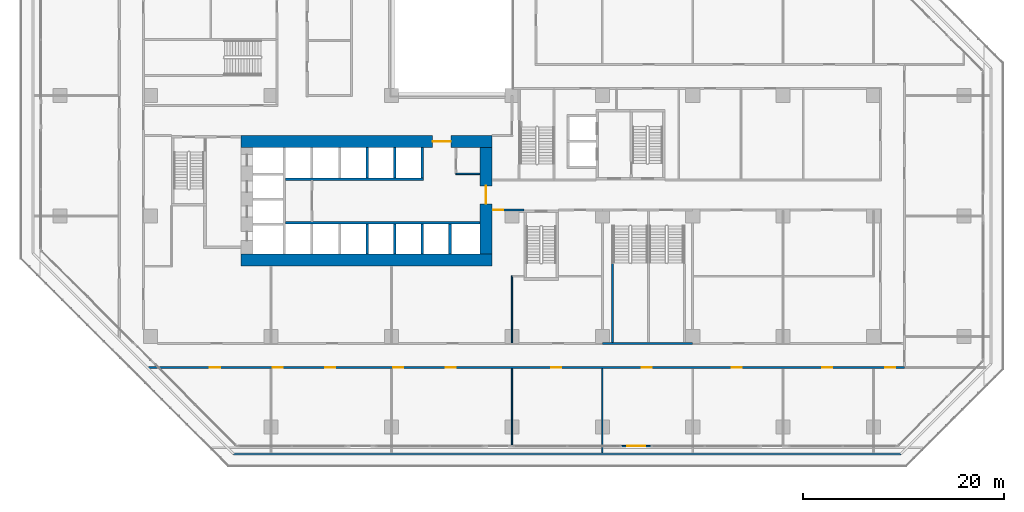
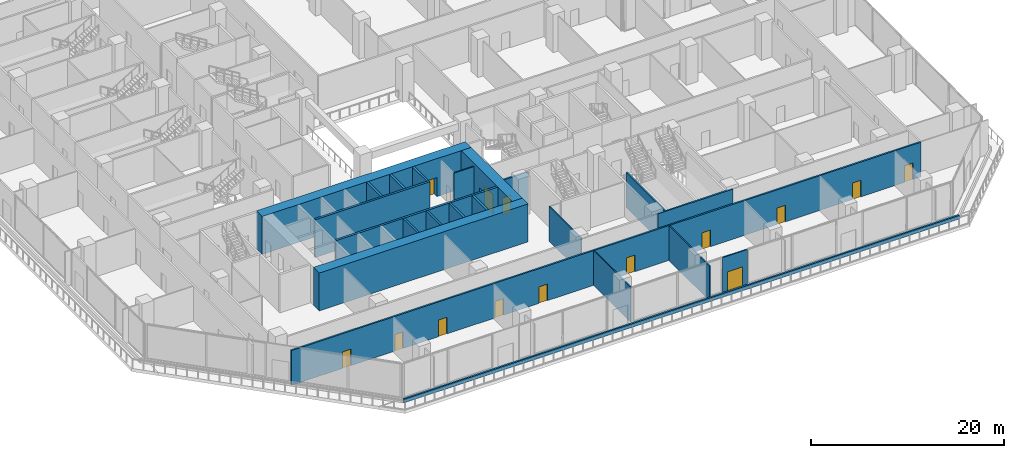
# One storey, part 15 of 31: 22 walls, 14 doors, 14 openings.
"""IFC4 building model written with IfcOpenShell, lengths in metres."""

from ifc_helpers import new_model, si_unit, direction, frame, frame_2d, origin, place, context, subcontext, project, spatial, rectangle, extrude, material, layer, layer_set, type_object, element, fill, save


model = new_model("IFC4")

# Units and contexts
model_context = context("Model", 3, precision=1e-05, world=origin(), true_north=direction((0.0, 1.0)))
body_context = subcontext(model_context, "Body", "Model", "MODEL_VIEW")
ifc_project = project(units=[si_unit("LENGTHUNIT", "METRE"), si_unit("AREAUNIT", "SQUARE_METRE"), si_unit("VOLUMEUNIT", "CUBIC_METRE"), si_unit("PLANEANGLEUNIT", "RADIAN"), si_unit("MASSUNIT", "GRAM", prefix="KILO")], contexts=[model_context])

# Site, building, storey
site_placement = place(None, origin())
site = spatial("IfcSite", under=ifc_project, at=site_placement, CompositionType="ELEMENT")
building_placement = place(site_placement, origin())
building = spatial("IfcBuilding", under=site, at=building_placement, Name="Chenar Terraces", CompositionType="ELEMENT")
storey_placement = place(building_placement, frame((0.0, 0.0, 12.0)))
storey = spatial("IfcBuildingStorey", under=building, at=storey_placement, Name="L02", CompositionType="ELEMENT", Elevation=12.0)

# Walls
ifc_material_1 = material(Name="Gypsum board on steel studs with mineral wool", Category="steel")
ifc_layer_1 = layer(ifc_material_1, 0.125)
ifc_layer_set_1 = layer_set([ifc_layer_1], Name="Gypsum board on steel studs with mineral wool")
wall_type_1 = type_object("IfcWallType", Name="Acoustic partition 125", PredefinedType="PARTITIONING", material=ifc_layer_set_1)
wall_1_placement = place(storey_placement, frame((36.0, -10.85107421875, 0.0), z_axis=(0.0, 0.0, 1.0), x_axis=(0.0, 1.0, 0.0)))
element("IfcWall", 1, at=wall_1_placement, inside=storey, type_object=wall_type_1, Name="Partition L02-079", PredefinedType="PARTITIONING", context=body_context, shape_type="SweptSolid", body=[
    extrude(rectangle(XDim=7.651123046875, YDim=0.125, at=frame_2d((3.82568359375, 0.0))), origin(), (0.0, 0.0, 1.0), 4.39990234375),
])
wall_2_placement = place(storey_placement, frame((36.0, -0.60009765625, 0.0), z_axis=(0.0, 0.0, 1.0), x_axis=(0.0, 1.0, 0.0)))
element("IfcWall", 2, at=wall_2_placement, inside=storey, type_object=wall_type_1, Name="Partition L02-080", PredefinedType="PARTITIONING", context=body_context, shape_type="SweptSolid", body=[
    extrude(rectangle(XDim=6.662109375, YDim=0.125, at=frame_2d((3.3310546875, 0.0))), origin(), (0.0, 0.0, 1.0), 4.39990234375),
])
wall_3_placement = place(storey_placement, frame((45.0, -11.60009765625, 0.0), z_axis=(0.0, 0.0, 1.0), x_axis=(0.0, 1.0, 0.0)))
element("IfcWall", 3, at=wall_3_placement, inside=storey, type_object=wall_type_1, Name="Partition L02-094", PredefinedType="PARTITIONING", context=body_context, shape_type="SweptSolid", body=[
    extrude(rectangle(XDim=8.400146484375, YDim=0.125, at=frame_2d((4.2001953125, 0.0))), origin(), (0.0, 0.0, 1.0), 4.39990234375),
])
ifc_material_2 = material(Name="Gypsum board on steel studs", Category="steel")
ifc_layer_2 = layer(ifc_material_2, 0.14990234375)
ifc_layer_set_2 = layer_set([ifc_layer_2], Name="Gypsum board on steel studs")
wall_type_2 = type_object("IfcWallType", Name="Core partition 150 gypsum board", PredefinedType="PARTITIONING", material=ifc_layer_set_2)
wall_4_placement = place(storey_placement, frame((30.39990234375, 16.199951171875, 0.0), z_axis=(0.0, 0.0, 1.0), x_axis=(1.0, 0.0, 0.0)))
element("IfcWall", 4, at=wall_4_placement, inside=storey, type_object=wall_type_2, Name="Core partition CP1 vestibule room south wall", PredefinedType="PARTITIONING", context=body_context, shape_type="SweptSolid", body=[
    extrude(rectangle(XDim=2.400146484375, YDim=0.14990234375, at=frame_2d((1.2001953125, 0.0))), origin(), (0.0, 0.0, 1.0), 4.39990234375),
])
ifc_material_3 = material(Name="Concrete C70/85", Category="concrete")
ifc_layer_3 = layer(ifc_material_3, 1.199951171875)
ifc_layer_set_3 = layer_set([ifc_layer_3], Name="Concrete C70/85")
wall_type_3 = type_object("IfcWallType", Name="Core wall 1200 Concrete C70/85", PredefinedType="SHEAR", material=ifc_layer_set_3)
wall_5_placement = place(storey_placement, frame((9.0, 7.60009765625, 0.0), z_axis=(0.0, 0.0, 1.0), x_axis=(1.0, 0.0, 0.0)))
element("IfcWall", 5, at=wall_5_placement, inside=storey, type_object=wall_type_3, Name="Core wall S L02", PredefinedType="SHEAR", context=body_context, shape_type="SweptSolid", body=[
    extrude(rectangle(XDim=25.0, YDim=1.199951171875, at=frame_2d((12.5, 0.0))), origin(), (0.0, 0.0, 1.0), 4.800048828125),
])

# Wall, opening, door
wall_6_placement = place(storey_placement, frame((9.0, 19.39990234375, 0.0), z_axis=(0.0, 0.0, 1.0), x_axis=(1.0, 0.0, 0.0)))
wall_6 = element("IfcWall", 6, at=wall_6_placement, inside=storey, type_object=wall_type_3, Name="Core wall N L02", PredefinedType="SHEAR", context=body_context, shape_type="SweptSolid", body=[
    extrude(rectangle(XDim=25.0, YDim=1.199951171875, at=frame_2d((12.5, 0.0))), origin(), (0.0, 0.0, 1.0), 4.800048828125),
])
opening_1_placement = place(wall_6_placement, frame((19.10009765625, 0.0, 0.0)))
opening_1 = element("IfcOpeningElement", 7, at=opening_1_placement, cuts=wall_6, Name="Opening DL02-C2", PredefinedType="OPENING", context=body_context, shape_type="SweptSolid", body=[
    extrude(rectangle(XDim=1.800048828125, YDim=2.39990234375, at=frame_2d((0.89990234375, 1.199951171875))), frame((0.0, 0.60986328125, 0.0), z_axis=(0.0, -1.0, 0.0), x_axis=(1.0, 0.0, 0.0)), (0.0, 0.0, 1.0), 1.219970703125),
])
ifc_material_4 = material(Name="Steel-framed fire-resisting door leaf", Category="steel")
door_type_1 = type_object("IfcDoorType", Name="Core entrance double fire door FD60 1800 x 2400", OperationType="DOUBLE_DOOR_SINGLE_SWING", PredefinedType="DOOR", material=ifc_material_4)
door_1_placement = place(opening_1_placement, frame((1.800048828125, 0.0, 0.0), z_axis=(0.0, 0.0, 1.0), x_axis=(-1.0, 0.0, 0.0)))
door_1 = element("IfcDoor", 8, at=door_1_placement, inside=storey, type_object=door_type_1, Name="Core door DL02-C2", OperationType="DOUBLE_DOOR_SINGLE_SWING", OverallHeight=2.39990234375, OverallWidth=1.800048828125, PredefinedType="DOOR", context=body_context, shape_type="SweptSolid", body=[
    extrude(rectangle(XDim=1.800048828125, YDim=2.39990234375, at=frame_2d((0.89990234375, 1.199951171875))), frame((0.0, 0.02490234375, 0.0), z_axis=(0.0, -1.0, 0.0), x_axis=(1.0, 0.0, 0.0)), (0.0, 0.0, 1.0), 0.050048828125),
])
fill(opening_1, door_1)

wall_7_placement = place(storey_placement, frame((33.39990234375, 8.199951171875, 0.0), z_axis=(0.0, 0.0, 1.0), x_axis=(0.0, 1.0, 0.0)))
wall_7 = element("IfcWall", 9, at=wall_7_placement, inside=storey, type_object=wall_type_3, Name="Core wall E L02", PredefinedType="SHEAR", context=body_context, shape_type="SweptSolid", body=[
    extrude(rectangle(XDim=10.60009765625, YDim=1.199951171875, at=frame_2d((5.300048828125, 0.0))), origin(), (0.0, 0.0, 1.0), 4.800048828125),
])
opening_2_placement = place(wall_7_placement, frame((5.0, 0.0, 0.0)))
opening_2 = element("IfcOpeningElement", 10, at=opening_2_placement, cuts=wall_7, Name="Opening DL02-C1", PredefinedType="OPENING", context=body_context, shape_type="SweptSolid", body=[
    extrude(rectangle(XDim=1.800048828125, YDim=2.39990234375, at=frame_2d((0.89990234375, 1.199951171875))), frame((0.0, 0.60986328125, 0.0), z_axis=(0.0, -1.0, 0.0), x_axis=(1.0, 0.0, 0.0)), (0.0, 0.0, 1.0), 1.219970703125),
])
door_2_placement = place(opening_2_placement, origin())
door_2 = element("IfcDoor", 11, at=door_2_placement, inside=storey, type_object=door_type_1, Name="Core door DL02-C1", OperationType="DOUBLE_DOOR_SINGLE_SWING", OverallHeight=2.39990234375, OverallWidth=1.800048828125, PredefinedType="DOOR", context=body_context, shape_type="SweptSolid", body=[
    extrude(rectangle(XDim=1.800048828125, YDim=2.39990234375, at=frame_2d((0.89990234375, 1.199951171875))), frame((0.0, 0.02490234375, 0.0), z_axis=(0.0, -1.0, 0.0), x_axis=(1.0, 0.0, 0.0)), (0.0, 0.0, 1.0), 0.050048828125),
])
fill(opening_2, door_2)

# Walls
ifc_material_5 = material(Name="Concrete C70/85", Category="concrete")
ifc_layer_4 = layer(ifc_material_5, 0.25)
ifc_layer_set_4 = layer_set([ifc_layer_4], Name="Concrete C70/85")
wall_type_4 = type_object("IfcWallType", Name="Core wall 250 Concrete C70/85", PredefinedType="SHEAR", material=ifc_layer_set_4)
wall_8_placement = place(storey_placement, frame((13.449951171875, 11.324951171875, 0.0), z_axis=(0.0, 0.0, 1.0), x_axis=(1.0, 0.0, 0.0)))
element("IfcWall", 12, at=wall_8_placement, inside=storey, type_object=wall_type_4, Name="Core wall SF L02", PredefinedType="SHEAR", context=body_context, shape_type="SweptSolid", body=[
    extrude(rectangle(XDim=19.35009765625, YDim=0.25, at=frame_2d((9.675048828125, 0.0))), origin(), (0.0, 0.0, 1.0), 4.800048828125),
])
wall_9_placement = place(storey_placement, frame((13.449951171875, 15.675048828125, 0.0), z_axis=(0.0, 0.0, 1.0), x_axis=(1.0, 0.0, 0.0)))
element("IfcWall", 13, at=wall_9_placement, inside=storey, type_object=wall_type_4, Name="Core wall NF L02", PredefinedType="SHEAR", context=body_context, shape_type="SweptSolid", body=[
    extrude(rectangle(XDim=13.75, YDim=0.25, at=frame_2d((6.875, 0.0))), origin(), (0.0, 0.0, 1.0), 4.800048828125),
])
for number, where, z_axis, x_axis, name in (
    (14, (21.574951171875, 8.199951171875, 0.0), (0.0, 0.0, 1.0), (0.0, 1.0, 0.0), "Core wall SS2 L02"),
    (15, (24.324951171875, 8.199951171875, 0.0), (0.0, 0.0, 1.0), (0.0, 1.0, 0.0), "Core wall SS3 L02"),
    (16, (27.074951171875, 8.199951171875, 0.0), (0.0, 0.0, 1.0), (0.0, 1.0, 0.0), "Core wall SS4 L02"),
    (17, (29.824951171875, 8.199951171875, 0.0), (0.0, 0.0, 1.0), (0.0, 1.0, 0.0), "Core wall SS5 L02"),
    (18, (21.574951171875, 15.800048828125, 0.0), (0.0, 0.0, 1.0), (0.0, 1.0, 0.0), "Core wall NS2 L02"),
    (19, (24.324951171875, 15.800048828125, 0.0), (0.0, 0.0, 1.0), (0.0, 1.0, 0.0), "Core wall NS3 L02"),
    (20, (27.074951171875, 15.800048828125, 0.0), (0.0, 0.0, 1.0), (0.0, 1.0, 0.0), "Core wall NE L02"),
):
    element("IfcWall", number, at=place(storey_placement, frame(where, z_axis=z_axis, x_axis=x_axis)), inside=storey, type_object=wall_type_4, Name=name, PredefinedType="SHEAR", context=body_context, shape_type="SweptSolid", body=[
        extrude(rectangle(XDim=3.0, YDim=0.25, at=frame_2d((1.5, 0.0))), origin(), (0.0, 0.0, 1.0), 4.800048828125),
    ])

# Wall, openings, doors
ifc_material_6 = material(Name="Gypsum board on steel studs with fire boards", Category="steel")
ifc_layer_5 = layer(ifc_material_6, 0.199951171875)
ifc_layer_set_5 = layer_set([ifc_layer_5], Name="Gypsum board on steel studs with fire boards")
wall_type_5 = type_object("IfcWallType", Name="Corridor wall 200", PredefinedType="PARTITIONING", material=ifc_layer_set_5)
wall_10_placement = place(storey_placement, frame((-0.18359375, -3.10009765625, 0.0), z_axis=(0.0, 0.0, 1.0), x_axis=(1.0, 0.0, 0.0)))
wall_10 = element("IfcWall", 21, at=wall_10_placement, inside=storey, type_object=wall_type_5, Name="Partition L02-032", PredefinedType="PARTITIONING", context=body_context, shape_type="SweptSolid", body=[
    extrude(rectangle(XDim=75.28369140625, YDim=0.199951171875, at=frame_2d((37.641845703125, 0.0))), origin(), (0.0, 0.0, 1.0), 4.39990234375),
])
opening_3_placement = place(wall_10_placement, frame((6.10498046875, 0.0, 0.0)))
opening_3 = element("IfcOpeningElement", 22, at=opening_3_placement, cuts=wall_10, Name="Opening DL02-60", PredefinedType="OPENING", context=body_context, shape_type="SweptSolid", body=[
    extrude(rectangle(XDim=1.0, YDim=2.10009765625, at=frame_2d((0.5, 1.050048828125))), frame((0.0, 0.10986328125, 0.0), z_axis=(0.0, -1.0, 0.0), x_axis=(1.0, 0.0, 0.0)), (0.0, 0.0, 1.0), 0.219970703125),
])
opening_4_placement = place(wall_10_placement, frame((17.583984375, 0.0, 0.0)))
opening_4 = element("IfcOpeningElement", 23, at=opening_4_placement, cuts=wall_10, Name="Opening DL02-61", PredefinedType="OPENING", context=body_context, shape_type="SweptSolid", body=[
    extrude(rectangle(XDim=1.0, YDim=2.10009765625, at=frame_2d((0.5, 1.050048828125))), frame((0.0, 0.10986328125, 0.0), z_axis=(0.0, -1.0, 0.0), x_axis=(1.0, 0.0, 0.0)), (0.0, 0.0, 1.0), 0.219970703125),
])
opening_5_placement = place(wall_10_placement, frame((12.333984375, 0.0, 0.0)))
opening_5 = element("IfcOpeningElement", 24, at=opening_5_placement, cuts=wall_10, Name="Opening DL02-62", PredefinedType="OPENING", context=body_context, shape_type="SweptSolid", body=[
    extrude(rectangle(XDim=1.0, YDim=2.10009765625, at=frame_2d((0.5, 1.050048828125))), frame((0.0, 0.10986328125, 0.0), z_axis=(0.0, -1.0, 0.0), x_axis=(1.0, 0.0, 0.0)), (0.0, 0.0, 1.0), 0.219970703125),
])
opening_6_placement = place(wall_10_placement, frame((29.583984375, 0.0, 0.0)))
opening_6 = element("IfcOpeningElement", 25, at=opening_6_placement, cuts=wall_10, Name="Opening DL02-63", PredefinedType="OPENING", context=body_context, shape_type="SweptSolid", body=[
    extrude(rectangle(XDim=1.0, YDim=2.10009765625, at=frame_2d((0.5, 1.050048828125))), frame((0.0, 0.10986328125, 0.0), z_axis=(0.0, -1.0, 0.0), x_axis=(1.0, 0.0, 0.0)), (0.0, 0.0, 1.0), 0.219970703125),
])
opening_7_placement = place(wall_10_placement, frame((24.333984375, 0.0, 0.0)))
opening_7 = element("IfcOpeningElement", 26, at=opening_7_placement, cuts=wall_10, Name="Opening DL02-64", PredefinedType="OPENING", context=body_context, shape_type="SweptSolid", body=[
    extrude(rectangle(XDim=1.0, YDim=2.10009765625, at=frame_2d((0.5, 1.050048828125))), frame((0.0, 0.10986328125, 0.0), z_axis=(0.0, -1.0, 0.0), x_axis=(1.0, 0.0, 0.0)), (0.0, 0.0, 1.0), 0.219970703125),
])
opening_8_placement = place(wall_10_placement, frame((40.083984375, 0.0, 0.0)))
opening_8 = element("IfcOpeningElement", 27, at=opening_8_placement, cuts=wall_10, Name="Opening DL02-65", PredefinedType="OPENING", context=body_context, shape_type="SweptSolid", body=[
    extrude(rectangle(XDim=1.0, YDim=2.10009765625, at=frame_2d((0.5, 1.050048828125))), frame((0.0, 0.10986328125, 0.0), z_axis=(0.0, -1.0, 0.0), x_axis=(1.0, 0.0, 0.0)), (0.0, 0.0, 1.0), 0.219970703125),
])
opening_9_placement = place(wall_10_placement, frame((49.083984375, 0.0, 0.0)))
opening_9 = element("IfcOpeningElement", 28, at=opening_9_placement, cuts=wall_10, Name="Opening DL02-66", PredefinedType="OPENING", context=body_context, shape_type="SweptSolid", body=[
    extrude(rectangle(XDim=1.0, YDim=2.10009765625, at=frame_2d((0.5, 1.050048828125))), frame((0.0, 0.10986328125, 0.0), z_axis=(0.0, -1.0, 0.0), x_axis=(1.0, 0.0, 0.0)), (0.0, 0.0, 1.0), 0.219970703125),
])
opening_10_placement = place(wall_10_placement, frame((58.083984375, 0.0, 0.0)))
opening_10 = element("IfcOpeningElement", 29, at=opening_10_placement, cuts=wall_10, Name="Opening DL02-67", PredefinedType="OPENING", context=body_context, shape_type="SweptSolid", body=[
    extrude(rectangle(XDim=1.0, YDim=2.10009765625, at=frame_2d((0.5, 1.050048828125))), frame((0.0, 0.10986328125, 0.0), z_axis=(0.0, -1.0, 0.0), x_axis=(1.0, 0.0, 0.0)), (0.0, 0.0, 1.0), 0.219970703125),
])
opening_11_placement = place(wall_10_placement, frame((67.083984375, 0.0, 0.0)))
opening_11 = element("IfcOpeningElement", 30, at=opening_11_placement, cuts=wall_10, Name="Opening DL02-68", PredefinedType="OPENING", context=body_context, shape_type="SweptSolid", body=[
    extrude(rectangle(XDim=1.0, YDim=2.10009765625, at=frame_2d((0.5, 1.050048828125))), frame((0.0, 0.10986328125, 0.0), z_axis=(0.0, -1.0, 0.0), x_axis=(1.0, 0.0, 0.0)), (0.0, 0.0, 1.0), 0.219970703125),
])
opening_12_placement = place(wall_10_placement, frame((73.333984375, 0.0, 0.0)))
opening_12 = element("IfcOpeningElement", 31, at=opening_12_placement, cuts=wall_10, Name="Opening DL02-69", PredefinedType="OPENING", context=body_context, shape_type="SweptSolid", body=[
    extrude(rectangle(XDim=1.0, YDim=2.10009765625, at=frame_2d((0.5, 1.050048828125))), frame((0.0, 0.10986328125, 0.0), z_axis=(0.0, -1.0, 0.0), x_axis=(1.0, 0.0, 0.0)), (0.0, 0.0, 1.0), 0.219970703125),
])
ifc_material_7 = material(Name="Steel-framed fire-resisting door leaf", Category="steel")
door_type_2 = type_object("IfcDoorType", Name="Fire door FD60 1000 x 2100", OperationType="SINGLE_SWING_LEFT", PredefinedType="DOOR", material=ifc_material_7)
door_3_placement = place(opening_3_placement, frame((1.0, 0.0, 0.0), z_axis=(0.0, 0.0, 1.0), x_axis=(-1.0, 0.0, 0.0)))
door_3 = element("IfcDoor", 32, at=door_3_placement, inside=storey, type_object=door_type_2, Name="Door DL02-60", OperationType="SINGLE_SWING_RIGHT", OverallHeight=2.10009765625, OverallWidth=1.0, PredefinedType="DOOR", context=body_context, shape_type="SweptSolid", body=[
    extrude(rectangle(XDim=1.0, YDim=2.10009765625, at=frame_2d((0.5, 1.050048828125))), frame((0.0, 0.02490234375, 0.0), z_axis=(0.0, -1.0, 0.0), x_axis=(1.0, 0.0, 0.0)), (0.0, 0.0, 1.0), 0.050048828125),
])
fill(opening_3, door_3)
door_4_placement = place(opening_4_placement, frame((1.0, 0.0, 0.0), z_axis=(0.0, 0.0, 1.0), x_axis=(-1.0, 0.0, 0.0)))
door_4 = element("IfcDoor", 33, at=door_4_placement, inside=storey, type_object=door_type_2, Name="Door DL02-61", OperationType="SINGLE_SWING_LEFT", OverallHeight=2.10009765625, OverallWidth=1.0, PredefinedType="DOOR", context=body_context, shape_type="SweptSolid", body=[
    extrude(rectangle(XDim=1.0, YDim=2.10009765625, at=frame_2d((0.5, 1.050048828125))), frame((0.0, 0.02490234375, 0.0), z_axis=(0.0, -1.0, 0.0), x_axis=(1.0, 0.0, 0.0)), (0.0, 0.0, 1.0), 0.050048828125),
])
fill(opening_4, door_4)
door_5_placement = place(opening_5_placement, frame((1.0, 0.0, 0.0), z_axis=(0.0, 0.0, 1.0), x_axis=(-1.0, 0.0, 0.0)))
door_5 = element("IfcDoor", 34, at=door_5_placement, inside=storey, type_object=door_type_2, Name="Door DL02-62", OperationType="SINGLE_SWING_RIGHT", OverallHeight=2.10009765625, OverallWidth=1.0, PredefinedType="DOOR", context=body_context, shape_type="SweptSolid", body=[
    extrude(rectangle(XDim=1.0, YDim=2.10009765625, at=frame_2d((0.5, 1.050048828125))), frame((0.0, 0.02490234375, 0.0), z_axis=(0.0, -1.0, 0.0), x_axis=(1.0, 0.0, 0.0)), (0.0, 0.0, 1.0), 0.050048828125),
])
fill(opening_5, door_5)
door_6_placement = place(opening_6_placement, frame((1.0, 0.0, 0.0), z_axis=(0.0, 0.0, 1.0), x_axis=(-1.0, 0.0, 0.0)))
door_6 = element("IfcDoor", 35, at=door_6_placement, inside=storey, type_object=door_type_2, Name="Door DL02-63", OperationType="SINGLE_SWING_LEFT", OverallHeight=2.10009765625, OverallWidth=1.0, PredefinedType="DOOR", context=body_context, shape_type="SweptSolid", body=[
    extrude(rectangle(XDim=1.0, YDim=2.10009765625, at=frame_2d((0.5, 1.050048828125))), frame((0.0, 0.02490234375, 0.0), z_axis=(0.0, -1.0, 0.0), x_axis=(1.0, 0.0, 0.0)), (0.0, 0.0, 1.0), 0.050048828125),
])
fill(opening_6, door_6)
door_7_placement = place(opening_7_placement, frame((1.0, 0.0, 0.0), z_axis=(0.0, 0.0, 1.0), x_axis=(-1.0, 0.0, 0.0)))
door_7 = element("IfcDoor", 36, at=door_7_placement, inside=storey, type_object=door_type_2, Name="Door DL02-64", OperationType="SINGLE_SWING_RIGHT", OverallHeight=2.10009765625, OverallWidth=1.0, PredefinedType="DOOR", context=body_context, shape_type="SweptSolid", body=[
    extrude(rectangle(XDim=1.0, YDim=2.10009765625, at=frame_2d((0.5, 1.050048828125))), frame((0.0, 0.02490234375, 0.0), z_axis=(0.0, -1.0, 0.0), x_axis=(1.0, 0.0, 0.0)), (0.0, 0.0, 1.0), 0.050048828125),
])
fill(opening_7, door_7)
door_8_placement = place(opening_8_placement, frame((1.0, 0.0, 0.0), z_axis=(0.0, 0.0, 1.0), x_axis=(-1.0, 0.0, 0.0)))
door_8 = element("IfcDoor", 37, at=door_8_placement, inside=storey, type_object=door_type_2, Name="Door DL02-65", OperationType="SINGLE_SWING_RIGHT", OverallHeight=2.10009765625, OverallWidth=1.0, PredefinedType="DOOR", context=body_context, shape_type="SweptSolid", body=[
    extrude(rectangle(XDim=1.0, YDim=2.10009765625, at=frame_2d((0.5, 1.050048828125))), frame((0.0, 0.02490234375, 0.0), z_axis=(0.0, -1.0, 0.0), x_axis=(1.0, 0.0, 0.0)), (0.0, 0.0, 1.0), 0.050048828125),
])
fill(opening_8, door_8)
door_9_placement = place(opening_9_placement, frame((1.0, 0.0, 0.0), z_axis=(0.0, 0.0, 1.0), x_axis=(-1.0, 0.0, 0.0)))
door_9 = element("IfcDoor", 38, at=door_9_placement, inside=storey, type_object=door_type_2, Name="Door DL02-66", OperationType="SINGLE_SWING_RIGHT", OverallHeight=2.10009765625, OverallWidth=1.0, PredefinedType="DOOR", context=body_context, shape_type="SweptSolid", body=[
    extrude(rectangle(XDim=1.0, YDim=2.10009765625, at=frame_2d((0.5, 1.050048828125))), frame((0.0, 0.02490234375, 0.0), z_axis=(0.0, -1.0, 0.0), x_axis=(1.0, 0.0, 0.0)), (0.0, 0.0, 1.0), 0.050048828125),
])
fill(opening_9, door_9)
door_10_placement = place(opening_10_placement, frame((1.0, 0.0, 0.0), z_axis=(0.0, 0.0, 1.0), x_axis=(-1.0, 0.0, 0.0)))
door_10 = element("IfcDoor", 39, at=door_10_placement, inside=storey, type_object=door_type_2, Name="Door DL02-67", OperationType="SINGLE_SWING_RIGHT", OverallHeight=2.10009765625, OverallWidth=1.0, PredefinedType="DOOR", context=body_context, shape_type="SweptSolid", body=[
    extrude(rectangle(XDim=1.0, YDim=2.10009765625, at=frame_2d((0.5, 1.050048828125))), frame((0.0, 0.02490234375, 0.0), z_axis=(0.0, -1.0, 0.0), x_axis=(1.0, 0.0, 0.0)), (0.0, 0.0, 1.0), 0.050048828125),
])
fill(opening_10, door_10)
door_11_placement = place(opening_11_placement, frame((1.0, 0.0, 0.0), z_axis=(0.0, 0.0, 1.0), x_axis=(-1.0, 0.0, 0.0)))
door_11 = element("IfcDoor", 40, at=door_11_placement, inside=storey, type_object=door_type_2, Name="Door DL02-68", OperationType="SINGLE_SWING_RIGHT", OverallHeight=2.10009765625, OverallWidth=1.0, PredefinedType="DOOR", context=body_context, shape_type="SweptSolid", body=[
    extrude(rectangle(XDim=1.0, YDim=2.10009765625, at=frame_2d((0.5, 1.050048828125))), frame((0.0, 0.02490234375, 0.0), z_axis=(0.0, -1.0, 0.0), x_axis=(1.0, 0.0, 0.0)), (0.0, 0.0, 1.0), 0.050048828125),
])
fill(opening_11, door_11)
door_12_placement = place(opening_12_placement, frame((1.0, 0.0, 0.0), z_axis=(0.0, 0.0, 1.0), x_axis=(-1.0, 0.0, 0.0)))
door_12 = element("IfcDoor", 41, at=door_12_placement, inside=storey, type_object=door_type_2, Name="Door DL02-69", OperationType="SINGLE_SWING_RIGHT", OverallHeight=2.10009765625, OverallWidth=1.0, PredefinedType="DOOR", context=body_context, shape_type="SweptSolid", body=[
    extrude(rectangle(XDim=1.0, YDim=2.10009765625, at=frame_2d((0.5, 1.050048828125))), frame((0.0, 0.02490234375, 0.0), z_axis=(0.0, -1.0, 0.0), x_axis=(1.0, 0.0, 0.0)), (0.0, 0.0, 1.0), 0.050048828125),
])
fill(opening_12, door_12)

# Wall, opening, door
wall_11_placement = place(storey_placement, frame((34.0, 12.60009765625, 0.0), z_axis=(0.0, 0.0, 1.0), x_axis=(1.0, 0.0, 0.0)))
wall_11 = element("IfcWall", 42, at=wall_11_placement, inside=storey, type_object=wall_type_5, Name="Partition L02-076", PredefinedType="PARTITIONING", context=body_context, shape_type="SweptSolid", body=[
    extrude(rectangle(XDim=3.199951171875, YDim=0.199951171875, at=frame_2d((1.60009765625, 0.0))), origin(), (0.0, 0.0, 1.0), 4.39990234375),
])
opening_13_placement = place(wall_11_placement, frame((0.14990234375, 0.0, 0.0)))
opening_13 = element("IfcOpeningElement", 43, at=opening_13_placement, cuts=wall_11, Name="Opening DL02-47", PredefinedType="OPENING", context=body_context, shape_type="SweptSolid", body=[
    extrude(rectangle(XDim=1.0, YDim=2.10009765625, at=frame_2d((0.5, 1.050048828125))), frame((0.0, 0.10986328125, 0.0), z_axis=(0.0, -1.0, 0.0), x_axis=(1.0, 0.0, 0.0)), (0.0, 0.0, 1.0), 0.219970703125),
])
door_13_placement = place(opening_13_placement, frame((1.0, 0.0, 0.0), z_axis=(0.0, 0.0, 1.0), x_axis=(-1.0, 0.0, 0.0)))
door_13 = element("IfcDoor", 44, at=door_13_placement, inside=storey, type_object=door_type_2, Name="Door DL02-47", OperationType="SINGLE_SWING_LEFT", OverallHeight=2.10009765625, OverallWidth=1.0, PredefinedType="DOOR", context=body_context, shape_type="SweptSolid", body=[
    extrude(rectangle(XDim=1.0, YDim=2.10009765625, at=frame_2d((0.5, 1.050048828125))), frame((0.0, 0.02490234375, 0.0), z_axis=(0.0, -1.0, 0.0), x_axis=(1.0, 0.0, 0.0)), (0.0, 0.0, 1.0), 0.050048828125),
])
fill(opening_13, door_13)

ifc_material_8 = material(Name="Aluminium framed glazing", Category="aluminium")
ifc_layer_6 = layer(ifc_material_8, 0.14990234375)
ifc_layer_set_6 = layer_set([ifc_layer_6], Name="Aluminium framed glazing")
wall_type_6 = type_object("IfcWallType", Name="Podium glazed wall 150", PredefinedType="SOLIDWALL", material=ifc_layer_set_6)
wall_12_placement = place(storey_placement, frame((46.85693359375, -10.925048828125, 0.0), z_axis=(0.0, 0.0, 1.0), x_axis=(1.0, 0.0, 0.0)))
wall_12 = element("IfcWall", 45, at=wall_12_placement, inside=storey, type_object=wall_type_6, Name="Podium glazed wall", PredefinedType="SOLIDWALL", context=body_context, shape_type="SweptSolid", body=[
    extrude(rectangle(XDim=3.0, YDim=0.14990234375, at=frame_2d((1.5, 0.0))), origin(), (0.0, 0.0, 1.0), 4.39990234375),
])
opening_14_placement = place(wall_12_placement, frame((0.60009765625, 0.0, 0.0)))
opening_14 = element("IfcOpeningElement", 46, at=opening_14_placement, cuts=wall_12, Name="Opening DL02-T3", PredefinedType="OPENING", context=body_context, shape_type="SweptSolid", body=[
    extrude(rectangle(XDim=1.800048828125, YDim=2.39990234375, at=frame_2d((0.89990234375, 1.199951171875))), frame((0.0, 0.0849609375, 0.0), z_axis=(0.0, -1.0, 0.0), x_axis=(1.0, 0.0, 0.0)), (0.0, 0.0, 1.0), 0.169921875),
])
ifc_material_9 = material(Name="Low emissivity double glazing, aluminium frame", Category="aluminium")
door_type_3 = type_object("IfcDoorType", Name="Terrace glazed double door 1800 x 2400", OperationType="DOUBLE_DOOR_SINGLE_SWING", PredefinedType="DOOR", material=ifc_material_9)
door_14_placement = place(opening_14_placement, origin())
door_14 = element("IfcDoor", 47, at=door_14_placement, inside=storey, type_object=door_type_3, Name="Terrace glazed door", OperationType="DOUBLE_DOOR_SINGLE_SWING", OverallHeight=2.39990234375, OverallWidth=1.800048828125, PredefinedType="DOOR", context=body_context, shape_type="SweptSolid", body=[
    extrude(rectangle(XDim=1.800048828125, YDim=2.39990234375, at=frame_2d((0.89990234375, 1.199951171875))), frame((0.0, 0.02490234375, 0.0), z_axis=(0.0, -1.0, 0.0), x_axis=(1.0, 0.0, 0.0)), (0.0, 0.0, 1.0), 0.050048828125),
])
fill(opening_14, door_14)

# Walls
ifc_material_10 = material(Name="Reinforced concrete C40/50", Category="concrete")
ifc_layer_7 = layer(ifc_material_10, 0.199951171875)
ifc_layer_set_7 = layer_set([ifc_layer_7], Name="Reinforced concrete C40/50")
wall_type_7 = type_object("IfcWallType", Name="Stair enclosure wall 200 concrete", PredefinedType="SOLIDWALL", material=ifc_layer_set_7)
wall_13_placement = place(storey_placement, frame((45.0, -0.699951171875, 0.0), z_axis=(0.0, 0.0, 1.0), x_axis=(1.0, 0.0, 0.0)))
element("IfcWall", 48, at=wall_13_placement, inside=storey, type_object=wall_type_7, Name="Stair enclosure wall L02-095", PredefinedType="SOLIDWALL", context=body_context, shape_type="SweptSolid", body=[
    extrude(rectangle(XDim=9.0, YDim=0.199951171875, at=frame_2d((4.5, 0.0))), origin(), (0.0, 0.0, 1.0), 4.39990234375),
])
wall_14_placement = place(storey_placement, frame((46.0, -0.60009765625, 0.0), z_axis=(0.0, 0.0, 1.0), x_axis=(0.0, 1.0, 0.0)))
element("IfcWall", 49, at=wall_14_placement, inside=storey, type_object=wall_type_7, Name="Stair enclosure wall L02-PS6-036", PredefinedType="SOLIDWALL", context=body_context, shape_type="SweptSolid", body=[
    extrude(rectangle(XDim=7.945068359375, YDim=0.199951171875, at=frame_2d((3.97265625, 0.0))), origin(), (0.0, 0.0, 1.0), 4.39990234375),
])
ifc_material_11 = material(Name="Terracotta cladding on insulated backing", Category="masonry")
ifc_layer_8 = layer(ifc_material_11, 0.199951171875)
ifc_layer_set_8 = layer_set([ifc_layer_8], Name="Terracotta cladding on insulated backing")
wall_type_8 = type_object("IfcWallType", Name="Terrace parapet upstand 200", PredefinedType="PARAPET", material=ifc_layer_set_8)
wall_15_placement = place(storey_placement, frame((74.72509765625, -11.699951171875, 0.0), z_axis=(0.0, 0.0, 1.0), x_axis=(-1.0, 0.0, 0.0)))
element("IfcWall", 50, at=wall_15_placement, inside=storey, type_object=wall_type_8, Name="Terrace parapet", PredefinedType="PARAPET", context=body_context, shape_type="SweptSolid", body=[
    extrude(rectangle(XDim=66.4501953125, YDim=0.199951171875, at=frame_2d((33.22509765625, 0.0))), origin(), (0.0, 0.0, 1.0), 0.5),
])

save(model, "model.ifc")
